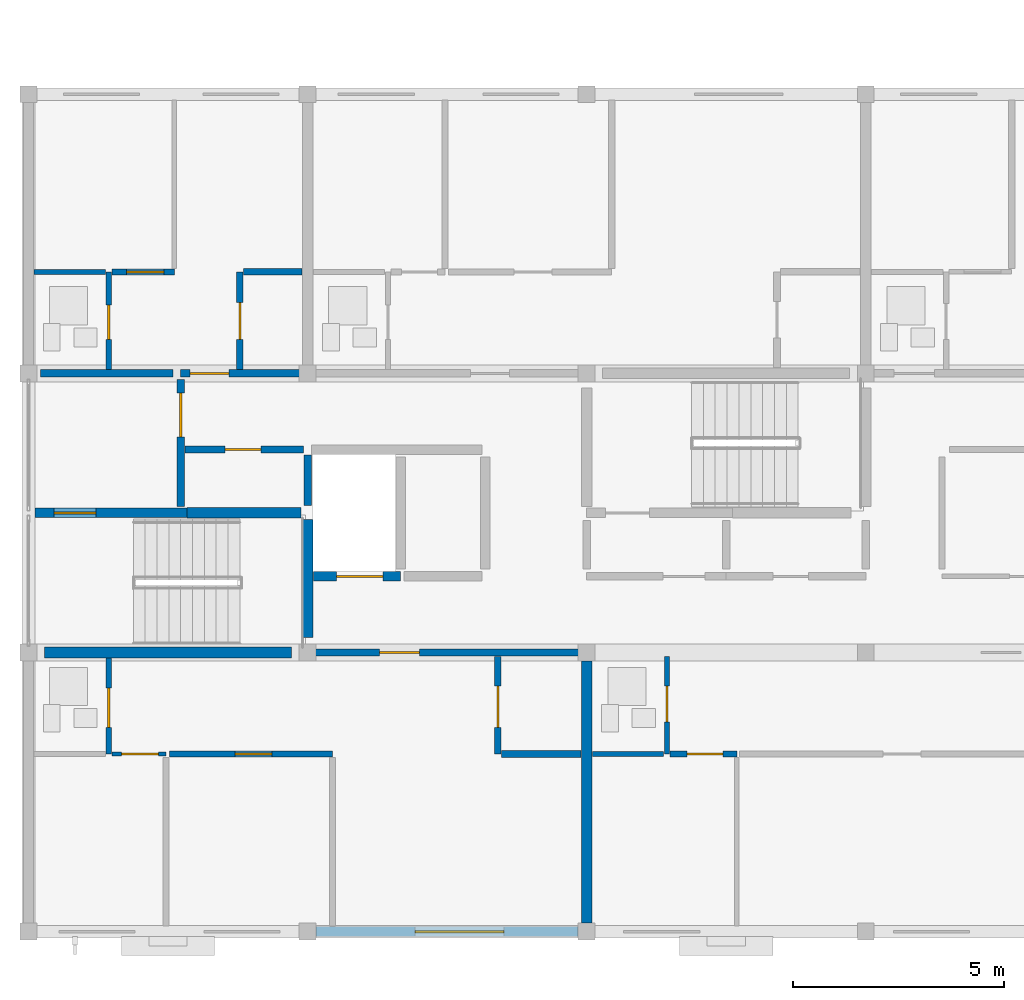
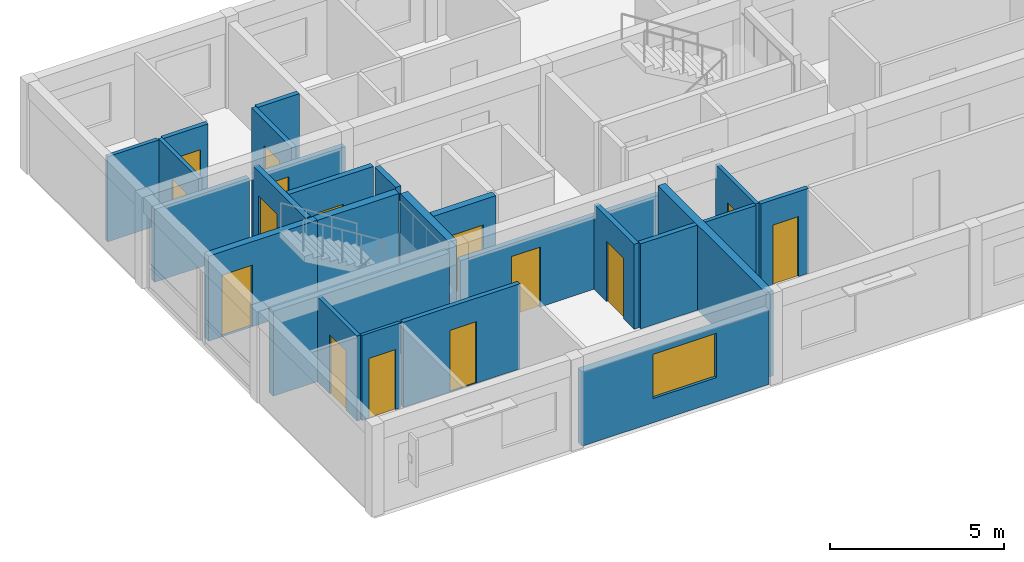
# One storey, part 8 of 15: 26 walls, 15 doors, 1 window, 16 openings.
"""IFC4 building model written with IfcOpenShell, lengths in metres."""

import ifcopenshell
import ifcopenshell.guid

model = None  # the IFC model being written
_history = None  # IfcOwnerHistory: only IFC2X3 demands one
_inside = {}  # id of a spatial element -> (the spatial element, [elements in it])
_under = {}  # id of a project, library or spatial element -> (it, [spatial elements below it])
_declared = {}  # id of a project -> (the project, [libraries it declares])
_typed = {}  # id of a type object -> (the type object, [elements of that type])
_made_of = {}  # id of a material, layer set ... -> (it, [elements and type objects made of it])


def new_model(schema):
    """Start an empty IFC model of exactly this schema.

    Asked for "IFC4X3", IfcOpenShell would pick the latest addendum, in which some entities
    have other attributes; the version numbers below select the first issue.
    IFC2X3 requires an IfcOwnerHistory on every rooted entity: one is made here for all.
    """
    global model, _history
    if schema == "IFC4X3":
        model = ifcopenshell.file(schema_version=(4, 3, 0, 0))
    else:
        model = ifcopenshell.file(schema=schema)
    _inside.clear()
    _under.clear()
    _declared.clear()
    _typed.clear()
    _made_of.clear()
    _history = None
    if model.schema == "IFC2X3":
        org = make("IfcOrganization", Name="unknown")
        user = make(
            "IfcPersonAndOrganization",
            ThePerson=make("IfcPerson", FamilyName="unknown"),
            TheOrganization=org,
        )
        app = make(
            "IfcApplication",
            ApplicationDeveloper=org,
            Version="unknown",
            ApplicationFullName="unknown",
            ApplicationIdentifier="unknown",
        )
        _history = make(
            "IfcOwnerHistory",
            OwningUser=user,
            OwningApplication=app,
            ChangeAction="ADDED",
            CreationDate=0,
        )
    return model


def make(cls, **values):
    """One entity of the class cls with the attributes given. An attribute that is None is left unset."""
    return model.create_entity(
        cls, **{name: value for name, value in values.items() if value is not None}
    )


def rooted(cls, **values):
    """An entity with a GlobalId (a new one), such as an element, a storey or a relation."""
    return make(cls, GlobalId=ifcopenshell.guid.new(), OwnerHistory=_history, **values)


def si_unit(unit_type, name, prefix=None):
    """IfcSIUnit, for example si_unit("LENGTHUNIT", "METRE", prefix="MILLI")."""
    return make("IfcSIUnit", UnitType=unit_type, Prefix=prefix, Name=name)


def assignment(units):
    """IfcUnitAssignment: the units of a project."""
    return None if units is None else make("IfcUnitAssignment", Units=units)


def point(xyz):
    """IfcCartesianPoint."""
    return None if xyz is None else make("IfcCartesianPoint", Coordinates=xyz)


def direction(xyz):
    """IfcDirection."""
    return None if xyz is None else make("IfcDirection", DirectionRatios=xyz)


def frame(location, z_axis=None, x_axis=None):
    """IfcAxis2Placement3D, a coordinate frame: its origin and axes. An axis left out is left unset."""
    return make(
        "IfcAxis2Placement3D",
        Location=point(location),
        Axis=direction(z_axis),
        RefDirection=direction(x_axis),
    )


def frame_2d(location, x_axis=None):
    """IfcAxis2Placement2D, a coordinate frame in the plane: its origin and x axis."""
    return make(
        "IfcAxis2Placement2D", Location=point(location), RefDirection=direction(x_axis)
    )


def origin():
    """The frame at (0, 0, 0) with its axes left unset."""
    return frame((0.0, 0.0, 0.0))


def place(relative_to, where):
    """IfcLocalPlacement: puts the frame where relative to a parent placement (None: the world)."""
    return make(
        "IfcLocalPlacement", PlacementRelTo=relative_to, RelativePlacement=where
    )


def context(
    kind, dimensions, precision=None, world=None, true_north=None, identifier=None
):
    """IfcGeometricRepresentationContext, for example the 3D "Model" context."""
    return make(
        "IfcGeometricRepresentationContext",
        ContextIdentifier=identifier,
        ContextType=kind,
        CoordinateSpaceDimension=dimensions,
        Precision=precision,
        WorldCoordinateSystem=world,
        TrueNorth=true_north,
    )


def subcontext(parent, identifier, kind, view, scale=None):
    """IfcGeometricRepresentationSubContext, for example "Body" below "Model"."""
    return make(
        "IfcGeometricRepresentationSubContext",
        ContextIdentifier=identifier,
        ContextType=kind,
        ParentContext=parent,
        TargetScale=scale,
        TargetView=view,
    )


def project(units=None, contexts=None):
    """IfcProject with its units and contexts."""
    return rooted(
        "IfcProject",
        Name="project",
        RepresentationContexts=contexts,
        UnitsInContext=assignment(units),
    )


def spatial(cls, under=None, at=None, **own):
    """A site, building, storey or space (cls), placed at a placement, below another one or the project."""
    s = rooted(cls, ObjectPlacement=at, **own)
    if under is not None:
        _under.setdefault(under.id(), (under, []))[1].append(s)
    return s


def profile(cls, at=None, kind="AREA", **sizes):
    """A parametric profile (cls). Its sizes go by their IFC names, for example OverallWidth=200.0."""
    return make(cls, ProfileType=kind, Position=at, **sizes)


def rectangle(**sizes):
    """IfcRectangleProfileDef."""
    return profile("IfcRectangleProfileDef", **sizes)


def extrude(swept, where, along, depth):
    """IfcExtrudedAreaSolid: the profile swept, set in the frame where, extruded along a direction by depth."""
    return make(
        "IfcExtrudedAreaSolid",
        SweptArea=swept,
        Position=where,
        ExtrudedDirection=direction(along),
        Depth=depth,
    )


def shape(context_of_items, identifier, shape_type, items):
    """IfcShapeRepresentation: the items that make up one representation, for example the "Body"."""
    return make(
        "IfcShapeRepresentation",
        ContextOfItems=context_of_items,
        RepresentationIdentifier=identifier,
        RepresentationType=shape_type,
        Items=items,
    )


def material(Name=None, Category=None):
    """IfcMaterial."""
    return make("IfcMaterial", Name=Name, Category=Category)


def layer(
    of_material, thickness, ventilated=None, Name=None, Category=None, Priority=None
):
    """IfcMaterialLayer: one layer of a wall or slab, of a material (None: an air gap)."""
    return make(
        "IfcMaterialLayer",
        Material=of_material,
        LayerThickness=thickness,
        IsVentilated=ventilated,
        Name=Name,
        Category=Category,
        Priority=Priority,
    )


def layer_set(layers, Name=None):
    """IfcMaterialLayerSet."""
    return make("IfcMaterialLayerSet", MaterialLayers=layers, LayerSetName=Name)


def made_of(thing, what):
    """Note that an element or type object is made of a material, layer set ...; save() writes the relation."""
    if what is not None:
        _made_of.setdefault(what.id(), (what, []))[1].append(thing)
    return thing


def type_object(cls, material=None, **own):
    """A type object (cls), such as IfcWallType, which elements share."""
    return made_of(rooted(cls, **own), material)


def element(
    cls,
    number,
    at=None,
    inside=None,
    cuts=None,
    type_object=None,
    material=None,
    context=None,
    identifier="Body",
    shape_type=None,
    held_by="IfcProductDefinitionShape",
    body=None,
    shapes=None,
    **own,
):
    """One element of the class cls, such as IfcWall. Its Tag is "e" and its number.

    at: its placement. inside: the storey or other place that contains it. cuts: it is an
    opening in that element (IfcRelVoidsElement). A single representation is given by context,
    identifier, shape_type and body (its items); several are given by shapes. held_by: the class
    of the entity that holds the representations. save() writes the other relations.
    """
    e = rooted(cls, Tag="e%d" % number, ObjectPlacement=at, **own)
    if body is not None:
        shapes = [shape(context, identifier, shape_type, body)]
    if shapes is not None:
        e.Representation = make(held_by, Representations=shapes)
    if inside is not None:
        _inside.setdefault(inside.id(), (inside, []))[1].append(e)
    if cuts is not None:
        rooted(
            "IfcRelVoidsElement", RelatingBuildingElement=cuts, RelatedOpeningElement=e
        )
    if type_object is not None:
        _typed.setdefault(type_object.id(), (type_object, []))[1].append(e)
    return made_of(e, material)


def fill(opening, filler):
    """IfcRelFillsElement: the door or window that sits in an opening."""
    return rooted(
        "IfcRelFillsElement",
        RelatingOpeningElement=opening,
        RelatedBuildingElement=filler,
    )


def aggregate(whole, parts):
    """IfcRelAggregates: a whole, such as a stair, and the parts it consists of."""
    return rooted("IfcRelAggregates", RelatingObject=whole, RelatedObjects=parts)


def save(model, path):
    """Write the relations noted so far, then the file.

    IfcRelAggregates (storeys below a building ...), IfcRelContainedInSpatialStructure (elements
    in a storey), IfcRelDefinesByType, IfcRelAssociatesMaterial and IfcRelDeclares: one each for
    every whole, place, type object, material and project.
    """
    for whole, parts in _under.values():
        aggregate(whole, parts)
    for where, things in _inside.values():
        rooted(
            "IfcRelContainedInSpatialStructure",
            RelatedElements=things,
            RelatingStructure=where,
        )
    for kind, things in _typed.values():
        rooted("IfcRelDefinesByType", RelatedObjects=things, RelatingType=kind)
    for what, things in _made_of.values():
        rooted("IfcRelAssociatesMaterial", RelatedObjects=things, RelatingMaterial=what)
    for by, libraries in _declared.values():
        rooted("IfcRelDeclares", RelatingContext=by, RelatedDefinitions=libraries)
    model.write(path)


model = new_model("IFC4")

# Units and contexts
model_context = context("Model", 3, precision=1e-05, world=origin(), true_north=direction((0.0, 1.0)))
body_context = subcontext(model_context, "Body", "Model", "MODEL_VIEW")
ifc_project = project(units=[si_unit("LENGTHUNIT", "METRE"), si_unit("AREAUNIT", "SQUARE_METRE"), si_unit("VOLUMEUNIT", "CUBIC_METRE"), si_unit("PLANEANGLEUNIT", "RADIAN"), si_unit("MASSUNIT", "GRAM", prefix="KILO")], contexts=[model_context])

# Site, building, storey
site_placement = place(None, origin())
site = spatial("IfcSite", under=ifc_project, at=site_placement, CompositionType="ELEMENT")
building_placement = place(site_placement, origin())
building = spatial("IfcBuilding", under=site, at=building_placement, Name="Kernevlak Ridge Housing Community", CompositionType="ELEMENT")
storey_placement = place(building_placement, frame((0.0, 0.0, 50.0)))
storey = spatial("IfcBuildingStorey", under=building, at=storey_placement, Name="L15", CompositionType="ELEMENT", Elevation=50.0)

# Wall, opening, window
ifc_material_1 = material(Name="Concrete block masonry M10", Category="masonry")
ifc_layer_1 = layer(ifc_material_1, 0.239990234375, Name="Concrete block masonry M10")
ifc_layer_set_1 = layer_set([ifc_layer_1], Name="Concrete block masonry M10")
wall_type_1 = type_object("IfcWallType", Name="EW-06", PredefinedType="STANDARD", material=ifc_layer_set_1)
wall_1_placement = place(storey_placement, frame((22.39990234375, 76.0, 0.0), z_axis=(0.0, 0.0, 1.0), x_axis=(1.0, 0.0, 0.0)))
wall_1 = element("IfcWall", 1, at=wall_1_placement, inside=storey, type_object=wall_type_1, Name="Exterior wall EW-06 L15 238", PredefinedType="STANDARD", context=body_context, shape_type="SweptSolid", body=[
    extrude(rectangle(XDim=6.2001953125, YDim=0.239990234375, at=frame_2d((3.10009765625, 0.0))), origin(), (0.0, 0.0, 1.0), 2.60009765625),
])
opening_1_placement = place(wall_1_placement, frame((2.345947265625, 0.0, 0.85009765625)))
opening_1 = element("IfcOpeningElement", 2, at=opening_1_placement, cuts=wall_1, Name="Opening WT-05", PredefinedType="OPENING", context=body_context, shape_type="SweptSolid", body=[
    extrude(rectangle(XDim=2.10009765625, YDim=1.550048828125, at=frame_2d((1.050048828125, 0.77490234375))), frame((0.0, 0.1298828125, 0.0), z_axis=(0.0, -1.0, 0.0), x_axis=(1.0, 0.0, 0.0)), (0.0, 0.0, 1.0), 0.260009765625),
])
ifc_material_2 = material(Name="Aluminium EN AW-6060 anodised and laminated glass", Category="aluminium")
window_type = type_object("IfcWindowType", Name="WT-05", PartitioningType="SINGLE_PANEL", PredefinedType="WINDOW", material=ifc_material_2)
window_placement = place(opening_1_placement, origin())
window = element("IfcWindow", 3, at=window_placement, inside=storey, type_object=window_type, Name="Window WT-05 L15 189", OverallHeight=1.550048828125, OverallWidth=2.10009765625, PartitioningType="SINGLE_PANEL", PredefinedType="WINDOW", context=body_context, shape_type="SweptSolid", body=[
    extrude(rectangle(XDim=2.10009765625, YDim=1.550048828125, at=frame_2d((1.050048828125, 0.77490234375))), frame((0.0, 0.030029296875, 0.0), z_axis=(0.0, -1.0, 0.0), x_axis=(1.0, 0.0, 0.0)), (0.0, 0.0, 1.0), 0.06005859375),
])
fill(opening_1, window)

# Wall, opening, door
ifc_material_3 = material(Name="Concrete C35/45", Category="concrete")
ifc_layer_2 = layer(ifc_material_3, 0.22509765625, Name="Concrete C35/45")
ifc_layer_set_2 = layer_set([ifc_layer_2], Name="Concrete C35/45")
wall_type_2 = type_object("IfcWallType", Name="PW-01", PredefinedType="STANDARD", material=ifc_layer_set_2)
wall_2_placement = place(storey_placement, frame((15.75, 85.89990234375, 0.0), z_axis=(0.0, 0.0, 1.0), x_axis=(1.0, 0.0, 0.0)))
wall_2 = element("IfcWall", 4, at=wall_2_placement, inside=storey, type_object=wall_type_2, Name="Interior wall PW-01 WAL-INT-L15-0945", PredefinedType="STANDARD", context=body_context, shape_type="SweptSolid", body=[
    extrude(rectangle(XDim=3.60009765625, YDim=0.22509765625, at=frame_2d((1.800048828125, 0.0))), origin(), (0.0, 0.0, 1.0), 2.97998046875),
])
opening_2_placement = place(wall_2_placement, frame((0.449951171875, 0.0, 0.0)))
opening_2 = element("IfcOpeningElement", 5, at=opening_2_placement, cuts=wall_2, Name="Opening D479", PredefinedType="OPENING", context=body_context, shape_type="SweptSolid", body=[
    extrude(rectangle(XDim=1.0, YDim=2.159912109375, at=frame_2d((0.5, 1.080078125))), frame((0.0, 0.12255859375, 0.0), z_axis=(0.0, -1.0, 0.0), x_axis=(1.0, 0.0, 0.0)), (0.0, 0.0, 1.0), 0.2451171875),
])
ifc_material_4 = material(Name="Fire-rated sheet steel leaf", Category="steel")
door_type_1 = type_object("IfcDoorType", Name="DT-15", OperationType="NOTDEFINED", PredefinedType="DOOR", material=ifc_material_4)
door_1_placement = place(opening_2_placement, origin())
door_1 = element("IfcDoor", 6, at=door_1_placement, inside=storey, type_object=door_type_1, Name="Block A Stair 1 fire door D479", OperationType="SINGLE_SWING_LEFT", OverallHeight=2.159912109375, OverallWidth=1.0, PredefinedType="DOOR", context=body_context, shape_type="SweptSolid", body=[
    extrude(rectangle(XDim=1.0, YDim=2.159912109375, at=frame_2d((0.5, 1.080078125))), frame((0.0, 0.02490234375, 0.0), z_axis=(0.0, -1.0, 0.0), x_axis=(1.0, 0.0, 0.0)), (0.0, 0.0, 1.0), 0.050048828125),
])
fill(opening_2, door_1)

wall_3_placement = place(storey_placement, frame((22.3349609375, 84.39990234375, 0.0), z_axis=(0.0, 0.0, 1.0), x_axis=(1.0, 0.0, 0.0)))
wall_3 = element("IfcWall", 7, at=wall_3_placement, inside=storey, type_object=wall_type_2, Name="Interior wall PW-01 WAL-INT-L15-0949", PredefinedType="STANDARD", context=body_context, shape_type="SweptSolid", body=[
    extrude(rectangle(XDim=2.06494140625, YDim=0.22509765625, at=frame_2d((1.032470703125, 0.0))), origin(), (0.0, 0.0, 1.0), 2.97998046875),
])
opening_3_placement = place(wall_3_placement, frame((0.550048828125, 0.0, 0.0)))
opening_3 = element("IfcOpeningElement", 8, at=opening_3_placement, cuts=wall_3, Name="Opening LD26", PredefinedType="OPENING", context=body_context, shape_type="SweptSolid", body=[
    extrude(rectangle(XDim=1.10009765625, YDim=2.10009765625, at=frame_2d((0.550048828125, 1.050048828125))), frame((0.0, 0.12255859375, 0.0), z_axis=(0.0, -1.0, 0.0), x_axis=(1.0, 0.0, 0.0)), (0.0, 0.0, 1.0), 0.2451171875),
])
ifc_material_5 = material(Name="Stainless steel EN 1.4401", Category="steel")
door_type_2 = type_object("IfcDoorType", Name="DT-LD1", OperationType="DOUBLE_DOOR_SLIDING", PredefinedType="DOOR", material=ifc_material_5)
door_2_placement = place(opening_3_placement, origin())
door_2 = element("IfcDoor", 9, at=door_2_placement, inside=storey, type_object=door_type_2, Name="Lift LF-A1 landing door LD26", OperationType="DOUBLE_DOOR_SLIDING", OverallHeight=2.10009765625, OverallWidth=1.10009765625, PredefinedType="DOOR", context=body_context, shape_type="SweptSolid", body=[
    extrude(rectangle(XDim=1.10009765625, YDim=2.10009765625, at=frame_2d((0.550048828125, 1.050048828125))), frame((0.0, 0.02490234375, 0.0), z_axis=(0.0, -1.0, 0.0), x_axis=(1.0, 0.0, 0.0)), (0.0, 0.0, 1.0), 0.050048828125),
])
fill(opening_3, door_2)

ifc_layer_3 = layer(ifc_material_1, 0.175048828125, Name="Concrete block masonry M10")
ifc_layer_set_3 = layer_set([ifc_layer_3], Name="Concrete block masonry M10")
wall_type_3 = type_object("IfcWallType", Name="PW-02", PredefinedType="PARTITIONING", material=ifc_layer_set_3)
wall_4_placement = place(storey_placement, frame((19.199951171875, 86.050048828125, 0.0), z_axis=(0.0, 0.0, 1.0), x_axis=(0.0, 1.0, 0.0)))
wall_4 = element("IfcWall", 10, at=wall_4_placement, inside=storey, type_object=wall_type_3, Name="Interior wall PW-02 WAL-INT-L15-0946", PredefinedType="PARTITIONING", context=body_context, shape_type="SweptSolid", body=[
    extrude(rectangle(XDim=3.0, YDim=0.175048828125, at=frame_2d((1.5, 0.0))), origin(), (0.0, 0.0, 1.0), 2.97998046875),
])
opening_4_placement = place(wall_4_placement, frame((1.64990234375, 0.0, 0.0)))
opening_4 = element("IfcOpeningElement", 11, at=opening_4_placement, cuts=wall_4, Name="Opening D480", PredefinedType="OPENING", context=body_context, shape_type="SweptSolid", body=[
    extrude(rectangle(XDim=1.0400390625, YDim=2.1201171875, at=frame_2d((0.52001953125, 1.06005859375))), frame((0.0, 0.097412109375, 0.0), z_axis=(0.0, -1.0, 0.0), x_axis=(1.0, 0.0, 0.0)), (0.0, 0.0, 1.0), 0.195068359375),
])
door_type_3 = type_object("IfcDoorType", Name="DT-16", OperationType="NOTDEFINED", PredefinedType="DOOR", material=ifc_material_4)
door_3_placement = place(opening_4_placement, origin())
door_3 = element("IfcDoor", 12, at=door_3_placement, inside=storey, type_object=door_type_3, Name="Block A Firefighting lobby 1 door D480", OperationType="SINGLE_SWING_RIGHT", OverallHeight=2.1201171875, OverallWidth=1.0400390625, PredefinedType="DOOR", context=body_context, shape_type="SweptSolid", body=[
    extrude(rectangle(XDim=1.0400390625, YDim=2.1201171875, at=frame_2d((0.52001953125, 1.06005859375))), frame((0.0, 0.02490234375, 0.0), z_axis=(0.0, -1.0, 0.0), x_axis=(1.0, 0.0, 0.0)), (0.0, 0.0, 1.0), 0.050048828125),
])
fill(opening_4, door_3)

wall_5_placement = place(storey_placement, frame((19.300048828125, 87.39990234375, 0.0), z_axis=(0.0, 0.0, 1.0), x_axis=(1.0, 0.0, 0.0)))
wall_5 = element("IfcWall", 13, at=wall_5_placement, inside=storey, type_object=wall_type_3, Name="Interior wall PW-02 WAL-INT-L15-0947", PredefinedType="PARTITIONING", context=body_context, shape_type="SweptSolid", body=[
    extrude(rectangle(XDim=2.800048828125, YDim=0.175048828125, at=frame_2d((1.39990234375, 0.0))), origin(), (0.0, 0.0, 1.0), 2.97998046875),
])
opening_5_placement = place(wall_5_placement, frame((0.949951171875, 0.0, 0.0)))
opening_5 = element("IfcOpeningElement", 14, at=opening_5_placement, cuts=wall_5, Name="Opening D481", PredefinedType="OPENING", context=body_context, shape_type="SweptSolid", body=[
    extrude(rectangle(XDim=0.85009765625, YDim=2.0, at=frame_2d((0.425048828125, 1.0))), frame((0.0, 0.097412109375, 0.0), z_axis=(0.0, -1.0, 0.0), x_axis=(1.0, 0.0, 0.0)), (0.0, 0.0, 1.0), 0.195068359375),
])
door_type_4 = type_object("IfcDoorType", Name="DT-07", OperationType="NOTDEFINED", PredefinedType="DOOR", material=ifc_material_4)
door_4_placement = place(opening_5_placement, origin())
door_4 = element("IfcDoor", 15, at=door_4_placement, inside=storey, type_object=door_type_4, Name="Block A Riser shaft door D481", OperationType="SINGLE_SWING_LEFT", OverallHeight=2.0, OverallWidth=0.85009765625, PredefinedType="DOOR", context=body_context, shape_type="SweptSolid", body=[
    extrude(rectangle(XDim=0.85009765625, YDim=2.0, at=frame_2d((0.425048828125, 1.0))), frame((0.0, 0.02490234375, 0.0), z_axis=(0.0, -1.0, 0.0), x_axis=(1.0, 0.0, 0.0)), (0.0, 0.0, 1.0), 0.050048828125),
])
fill(opening_5, door_4)

# Wall
wall_6_placement = place(storey_placement, frame((22.199951171875, 86.080078125, 0.0), z_axis=(0.0, 0.0, 1.0), x_axis=(0.0, 1.0, 0.0)))
element("IfcWall", 16, at=wall_6_placement, inside=storey, type_object=wall_type_3, Name="Interior wall PW-02 WAL-INT-L15-0948", PredefinedType="PARTITIONING", context=body_context, shape_type="SweptSolid", body=[
    extrude(rectangle(XDim=1.18994140625, YDim=0.175048828125, at=frame_2d((0.594970703125, 0.0))), origin(), (0.0, 0.0, 1.0), 2.97998046875),
])

# Wall, opening, door
wall_7_placement = place(storey_placement, frame((22.199951171875, 82.60009765625, 0.0), z_axis=(0.0, 0.0, 1.0), x_axis=(1.0, 0.0, 0.0)))
wall_7 = element("IfcWall", 17, at=wall_7_placement, inside=storey, type_object=wall_type_3, Name="Interior wall PW-02 WAL-INT-L15-0966", PredefinedType="PARTITIONING", context=body_context, shape_type="SweptSolid", body=[
    extrude(rectangle(XDim=6.60009765625, YDim=0.175048828125, at=frame_2d((3.300048828125, 0.0))), origin(), (0.0, 0.0, 1.0), 2.550048828125),
])
opening_6_placement = place(wall_7_placement, frame((1.699951171875, 0.0, 0.0)))
opening_6 = element("IfcOpeningElement", 18, at=opening_6_placement, cuts=wall_7, Name="Opening D487", PredefinedType="OPENING", context=body_context, shape_type="SweptSolid", body=[
    extrude(rectangle(XDim=0.949951171875, YDim=2.10009765625, at=frame_2d((0.47509765625, 1.050048828125))), frame((0.0, 0.097412109375, 0.0), z_axis=(0.0, -1.0, 0.0), x_axis=(1.0, 0.0, 0.0)), (0.0, 0.0, 1.0), 0.195068359375),
])
ifc_material_6 = material(Name="Hardwood timber solid-core fire leaf", Category="wood")
door_type_5 = type_object("IfcDoorType", Name="DT-01", OperationType="NOTDEFINED", PredefinedType="DOOR", material=ifc_material_6)
door_5_placement = place(opening_6_placement, origin())
door_5 = element("IfcDoor", 19, at=door_5_placement, inside=storey, type_object=door_type_5, Name="Flat A1511 entrance fire door D487", OperationType="SINGLE_SWING_LEFT", OverallHeight=2.10009765625, OverallWidth=0.949951171875, PredefinedType="DOOR", context=body_context, shape_type="SweptSolid", body=[
    extrude(rectangle(XDim=0.949951171875, YDim=2.10009765625, at=frame_2d((0.47509765625, 1.050048828125))), frame((0.0, 0.02490234375, 0.0), z_axis=(0.0, -1.0, 0.0), x_axis=(1.0, 0.0, 0.0)), (0.0, 0.0, 1.0), 0.050048828125),
])
fill(opening_6, door_5)

# Wall
wall_8_placement = place(storey_placement, frame((15.8798828125, 89.199951171875, 0.0), z_axis=(0.0, 0.0, 1.0), x_axis=(1.0, 0.0, 0.0)))
element("IfcWall", 20, at=wall_8_placement, inside=storey, type_object=wall_type_3, Name="Interior wall PW-02 WAL-INT-L15-0984", PredefinedType="PARTITIONING", context=body_context, shape_type="SweptSolid", body=[
    extrude(rectangle(XDim=3.14013671875, YDim=0.175048828125, at=frame_2d((1.570068359375, 0.0))), origin(), (0.0, 0.0, 1.0), 2.550048828125),
])

# Wall, opening, door
wall_9_placement = place(storey_placement, frame((19.199951171875, 89.199951171875, 0.0), z_axis=(0.0, 0.0, 1.0), x_axis=(1.0, 0.0, 0.0)))
wall_9 = element("IfcWall", 21, at=wall_9_placement, inside=storey, type_object=wall_type_3, Name="Interior wall PW-02 WAL-INT-L15-0985", PredefinedType="PARTITIONING", context=body_context, shape_type="SweptSolid", body=[
    extrude(rectangle(XDim=3.0, YDim=0.175048828125, at=frame_2d((1.5, 0.0))), origin(), (0.0, 0.0, 1.0), 2.550048828125),
])
opening_7_placement = place(wall_9_placement, frame((0.219970703125, 0.0, 0.0)))
opening_7 = element("IfcOpeningElement", 22, at=opening_7_placement, cuts=wall_9, Name="Opening D497", PredefinedType="OPENING", context=body_context, shape_type="SweptSolid", body=[
    extrude(rectangle(XDim=0.919921875, YDim=2.139892578125, at=frame_2d((0.4599609375, 1.06982421875))), frame((0.0, 0.097412109375, 0.0), z_axis=(0.0, -1.0, 0.0), x_axis=(1.0, 0.0, 0.0)), (0.0, 0.0, 1.0), 0.195068359375),
])
door_type_6 = type_object("IfcDoorType", Name="DT-20", OperationType="NOTDEFINED", PredefinedType="DOOR", material=ifc_material_6)
door_6_placement = place(opening_7_placement, origin())
door_6 = element("IfcDoor", 23, at=door_6_placement, inside=storey, type_object=door_type_6, Name="Flat A1521 entrance fire door D497", OperationType="SINGLE_SWING_LEFT", OverallHeight=2.139892578125, OverallWidth=0.919921875, PredefinedType="DOOR", context=body_context, shape_type="SweptSolid", body=[
    extrude(rectangle(XDim=0.919921875, YDim=2.139892578125, at=frame_2d((0.4599609375, 1.06982421875))), frame((0.0, 0.02490234375, 0.0), z_axis=(0.0, -1.0, 0.0), x_axis=(1.0, 0.0, 0.0)), (0.0, 0.0, 1.0), 0.050048828125),
])
fill(opening_7, door_6)

ifc_layer_4 = layer(ifc_material_1, 0.14501953125, Name="Concrete block masonry M10")
ifc_layer_set_4 = layer_set([ifc_layer_4], Name="Concrete block masonry M10")
wall_type_4 = type_object("IfcWallType", Name="PW-03", PredefinedType="PARTITIONING", material=ifc_layer_set_4)
wall_10_placement = place(storey_placement, frame((18.9326171875, 80.199951171875, 0.0), z_axis=(0.0, 0.0, 1.0), x_axis=(1.0, 0.0, 0.0)))
wall_10 = element("IfcWall", 24, at=wall_10_placement, inside=storey, type_object=wall_type_4, Name="Interior wall PW-03 WAL-INT-L15-0973", PredefinedType="PARTITIONING", context=body_context, shape_type="SweptSolid", body=[
    extrude(rectangle(XDim=3.859375, YDim=0.14501953125, at=frame_2d((1.9296875, 0.0))), origin(), (0.0, 0.0, 1.0), 2.97998046875),
])
opening_8_placement = place(wall_10_placement, frame((1.5458984375, 0.0, 0.0)))
opening_8 = element("IfcOpeningElement", 25, at=opening_8_placement, cuts=wall_10, Name="Opening D491", PredefinedType="OPENING", context=body_context, shape_type="SweptSolid", body=[
    extrude(rectangle(XDim=0.8798828125, YDim=2.159912109375, at=frame_2d((0.43994140625, 1.080078125))), frame((0.0, 0.08251953125, 0.0), z_axis=(0.0, -1.0, 0.0), x_axis=(1.0, 0.0, 0.0)), (0.0, 0.0, 1.0), 0.1650390625),
])
ifc_material_7 = material(Name="Hardwood timber leaf", Category="wood")
door_type_7 = type_object("IfcDoorType", Name="DT-26", OperationType="NOTDEFINED", PredefinedType="DOOR", material=ifc_material_7)
door_7_placement = place(opening_8_placement, origin())
door_7 = element("IfcDoor", 26, at=door_7_placement, inside=storey, type_object=door_type_7, Name="Flat A1511 bedroom door D491", OperationType="SINGLE_SWING_LEFT", OverallHeight=2.159912109375, OverallWidth=0.8798828125, PredefinedType="DOOR", context=body_context, shape_type="SweptSolid", body=[
    extrude(rectangle(XDim=0.8798828125, YDim=2.159912109375, at=frame_2d((0.43994140625, 1.080078125))), frame((0.0, 0.02490234375, 0.0), z_axis=(0.0, -1.0, 0.0), x_axis=(1.0, 0.0, 0.0)), (0.0, 0.0, 1.0), 0.050048828125),
])
fill(opening_8, door_7)

wall_11_placement = place(storey_placement, frame((30.7724609375, 80.199951171875, 0.0), z_axis=(0.0, 0.0, 1.0), x_axis=(1.0, 0.0, 0.0)))
wall_11 = element("IfcWall", 27, at=wall_11_placement, inside=storey, type_object=wall_type_4, Name="Interior wall PW-03 WAL-INT-L15-0980", PredefinedType="PARTITIONING", context=body_context, shape_type="SweptSolid", body=[
    extrude(rectangle(XDim=1.57763671875, YDim=0.14501953125, at=frame_2d((0.788818359375, 0.0))), origin(), (0.0, 0.0, 1.0), 2.97998046875),
])
opening_9_placement = place(wall_11_placement, frame((0.39990234375, 0.0, 0.0)))
opening_9 = element("IfcOpeningElement", 28, at=opening_9_placement, cuts=wall_11, Name="Opening D495", PredefinedType="OPENING", context=body_context, shape_type="SweptSolid", body=[
    extrude(rectangle(XDim=0.85009765625, YDim=2.10009765625, at=frame_2d((0.425048828125, 1.050048828125))), frame((0.0, 0.08251953125, 0.0), z_axis=(0.0, -1.0, 0.0), x_axis=(1.0, 0.0, 0.0)), (0.0, 0.0, 1.0), 0.1650390625),
])
door_type_8 = type_object("IfcDoorType", Name="DT-03", OperationType="NOTDEFINED", PredefinedType="DOOR", material=ifc_material_7)
door_8_placement = place(opening_9_placement, origin())
door_8 = element("IfcDoor", 29, at=door_8_placement, inside=storey, type_object=door_type_8, Name="Flat A1512 bedroom door D495", OperationType="SINGLE_SWING_LEFT", OverallHeight=2.10009765625, OverallWidth=0.85009765625, PredefinedType="DOOR", context=body_context, shape_type="SweptSolid", body=[
    extrude(rectangle(XDim=0.85009765625, YDim=2.10009765625, at=frame_2d((0.425048828125, 1.050048828125))), frame((0.0, 0.02490234375, 0.0), z_axis=(0.0, -1.0, 0.0), x_axis=(1.0, 0.0, 0.0)), (0.0, 0.0, 1.0), 0.050048828125),
])
fill(opening_9, door_8)

wall_12_placement = place(storey_placement, frame((17.572509765625, 91.60009765625, 0.0), z_axis=(0.0, 0.0, 1.0), x_axis=(1.0, 0.0, 0.0)))
wall_12 = element("IfcWall", 30, at=wall_12_placement, inside=storey, type_object=wall_type_4, Name="Interior wall PW-03 WAL-INT-L15-0990", PredefinedType="PARTITIONING", context=body_context, shape_type="SweptSolid", body=[
    extrude(rectangle(XDim=1.4775390625, YDim=0.14501953125, at=frame_2d((0.73876953125, 0.0))), origin(), (0.0, 0.0, 1.0), 2.97998046875),
])
opening_10_placement = place(wall_12_placement, frame((0.35009765625, 0.0, 0.0)))
opening_10 = element("IfcOpeningElement", 31, at=opening_10_placement, cuts=wall_12, Name="Opening D500", PredefinedType="OPENING", context=body_context, shape_type="SweptSolid", body=[
    extrude(rectangle(XDim=0.8798828125, YDim=2.159912109375, at=frame_2d((0.43994140625, 1.080078125))), frame((0.0, 0.08251953125, 0.0), z_axis=(0.0, -1.0, 0.0), x_axis=(1.0, 0.0, 0.0)), (0.0, 0.0, 1.0), 0.1650390625),
])
door_9_placement = place(opening_10_placement, origin())
door_9 = element("IfcDoor", 32, at=door_9_placement, inside=storey, type_object=door_type_7, Name="Flat A1521 bedroom door D500", OperationType="SINGLE_SWING_RIGHT", OverallHeight=2.159912109375, OverallWidth=0.8798828125, PredefinedType="DOOR", context=body_context, shape_type="SweptSolid", body=[
    extrude(rectangle(XDim=0.8798828125, YDim=2.159912109375, at=frame_2d((0.43994140625, 1.080078125))), frame((0.0, 0.02490234375, 0.0), z_axis=(0.0, -1.0, 0.0), x_axis=(1.0, 0.0, 0.0)), (0.0, 0.0, 1.0), 0.050048828125),
])
fill(opening_10, door_9)

ifc_material_8 = material(Name="Gypsum plasterboard EN 520", Category="gypsum")
ifc_layer_5 = layer(ifc_material_8, 0.125, Name="Gypsum plasterboard EN 520")
ifc_layer_set_5 = layer_set([ifc_layer_5], Name="Gypsum plasterboard EN 520")
wall_type_5 = type_object("IfcWallType", Name="PW-04", PredefinedType="PARTITIONING", material=ifc_layer_set_5)
wall_13_placement = place(storey_placement, frame((17.5, 82.465087890625, 0.0), z_axis=(0.0, 0.0, 1.0), x_axis=(0.0, -1.0, 0.0)))
wall_13 = element("IfcWall", 33, at=wall_13_placement, inside=storey, type_object=wall_type_5, Name="Interior wall PW-04 WAL-INT-L15-0967", PredefinedType="PARTITIONING", context=body_context, shape_type="SweptSolid", body=[
    extrude(rectangle(XDim=2.26513671875, YDim=0.125, at=frame_2d((1.132568359375, 0.0))), origin(), (0.0, 0.0, 1.0), 2.97998046875),
])
opening_11_placement = place(wall_13_placement, frame((0.699951171875, 0.0, 0.0)))
opening_11 = element("IfcOpeningElement", 34, at=opening_11_placement, cuts=wall_13, Name="Opening D488", PredefinedType="OPENING", context=body_context, shape_type="SweptSolid", body=[
    extrude(rectangle(XDim=0.93994140625, YDim=2.080078125, at=frame_2d((0.469970703125, 1.0400390625))), frame((0.0, 0.072509765625, 0.0), z_axis=(0.0, -1.0, 0.0), x_axis=(1.0, 0.0, 0.0)), (0.0, 0.0, 1.0), 0.14501953125),
])
ifc_material_9 = material(Name="Hardwood timber moisture-resistant leaf", Category="wood")
door_type_9 = type_object("IfcDoorType", Name="DT-23", OperationType="NOTDEFINED", PredefinedType="DOOR", material=ifc_material_9)
door_10_placement = place(opening_11_placement, origin())
door_10 = element("IfcDoor", 35, at=door_10_placement, inside=storey, type_object=door_type_9, Name="Flat A1511 bathroom door D488", OperationType="SINGLE_SWING_RIGHT", OverallHeight=2.080078125, OverallWidth=0.93994140625, PredefinedType="DOOR", context=body_context, shape_type="SweptSolid", body=[
    extrude(rectangle(XDim=0.93994140625, YDim=2.080078125, at=frame_2d((0.469970703125, 1.0400390625))), frame((0.0, 0.02490234375, 0.0), z_axis=(0.0, -1.0, 0.0), x_axis=(1.0, 0.0, 0.0)), (0.0, 0.0, 1.0), 0.050048828125),
])
fill(opening_11, door_10)

wall_14_placement = place(storey_placement, frame((30.699951171875, 82.50244140625, 0.0), z_axis=(0.0, 0.0, 1.0), x_axis=(0.0, -1.0, 0.0)))
wall_14 = element("IfcWall", 36, at=wall_14_placement, inside=storey, type_object=wall_type_5, Name="Interior wall PW-04 WAL-INT-L15-0976", PredefinedType="PARTITIONING", context=body_context, shape_type="SweptSolid", body=[
    extrude(rectangle(XDim=2.302490234375, YDim=0.125, at=frame_2d((1.1513671875, 0.0))), origin(), (0.0, 0.0, 1.0), 2.97998046875),
])
opening_12_placement = place(wall_14_placement, frame((0.699951171875, 0.0, 0.0)))
opening_12 = element("IfcOpeningElement", 37, at=opening_12_placement, cuts=wall_14, Name="Opening D493", PredefinedType="OPENING", context=body_context, shape_type="SweptSolid", body=[
    extrude(rectangle(XDim=0.840087890625, YDim=2.06005859375, at=frame_2d((0.419921875, 1.030029296875))), frame((0.0, 0.072509765625, 0.0), z_axis=(0.0, -1.0, 0.0), x_axis=(1.0, 0.0, 0.0)), (0.0, 0.0, 1.0), 0.14501953125),
])
door_type_10 = type_object("IfcDoorType", Name="DT-27", OperationType="NOTDEFINED", PredefinedType="DOOR", material=ifc_material_9)
door_11_placement = place(opening_12_placement, origin())
door_11 = element("IfcDoor", 38, at=door_11_placement, inside=storey, type_object=door_type_10, Name="Flat A1512 bathroom door D493", OperationType="SINGLE_SWING_LEFT", OverallHeight=2.06005859375, OverallWidth=0.840087890625, PredefinedType="DOOR", context=body_context, shape_type="SweptSolid", body=[
    extrude(rectangle(XDim=0.840087890625, YDim=2.06005859375, at=frame_2d((0.419921875, 1.030029296875))), frame((0.0, 0.02490234375, 0.0), z_axis=(0.0, -1.0, 0.0), x_axis=(1.0, 0.0, 0.0)), (0.0, 0.0, 1.0), 0.050048828125),
])
fill(opening_12, door_11)

# Wall
wall_15_placement = place(storey_placement, frame((28.93505859375, 80.199951171875, 0.0), z_axis=(0.0, 0.0, 1.0), x_axis=(1.0, 0.0, 0.0)))
element("IfcWall", 39, at=wall_15_placement, inside=storey, type_object=wall_type_5, Name="Interior wall PW-04 WAL-INT-L15-0977", PredefinedType="PARTITIONING", context=body_context, shape_type="SweptSolid", body=[
    extrude(rectangle(XDim=1.68505859375, YDim=0.125, at=frame_2d((0.842529296875, 0.0))), origin(), (0.0, 0.0, 1.0), 2.97998046875),
])

# Wall, opening, door
wall_16_placement = place(storey_placement, frame((17.5, 89.297607421875, 0.0), z_axis=(0.0, 0.0, 1.0), x_axis=(0.0, 1.0, 0.0)))
wall_16 = element("IfcWall", 40, at=wall_16_placement, inside=storey, type_object=wall_type_5, Name="Interior wall PW-04 WAL-INT-L15-0986", PredefinedType="PARTITIONING", context=body_context, shape_type="SweptSolid", body=[
    extrude(rectangle(XDim=2.302490234375, YDim=0.125, at=frame_2d((1.1513671875, 0.0))), origin(), (0.0, 0.0, 1.0), 2.97998046875),
])
opening_13_placement = place(wall_16_placement, frame((0.699951171875, 0.0, 0.0)))
opening_13 = element("IfcOpeningElement", 41, at=opening_13_placement, cuts=wall_16, Name="Opening D498", PredefinedType="OPENING", context=body_context, shape_type="SweptSolid", body=[
    extrude(rectangle(XDim=0.820068359375, YDim=2.050048828125, at=frame_2d((0.41015625, 1.02490234375))), frame((0.0, 0.072509765625, 0.0), z_axis=(0.0, -1.0, 0.0), x_axis=(1.0, 0.0, 0.0)), (0.0, 0.0, 1.0), 0.14501953125),
])
door_type_11 = type_object("IfcDoorType", Name="DT-30", OperationType="NOTDEFINED", PredefinedType="DOOR", material=ifc_material_9)
door_12_placement = place(opening_13_placement, origin())
door_12 = element("IfcDoor", 42, at=door_12_placement, inside=storey, type_object=door_type_11, Name="Flat A1521 bathroom door D498", OperationType="SINGLE_SWING_RIGHT", OverallHeight=2.050048828125, OverallWidth=0.820068359375, PredefinedType="DOOR", context=body_context, shape_type="SweptSolid", body=[
    extrude(rectangle(XDim=0.820068359375, YDim=2.050048828125, at=frame_2d((0.41015625, 1.02490234375))), frame((0.0, 0.02490234375, 0.0), z_axis=(0.0, -1.0, 0.0), x_axis=(1.0, 0.0, 0.0)), (0.0, 0.0, 1.0), 0.050048828125),
])
fill(opening_13, door_12)

# Wall
wall_17_placement = place(storey_placement, frame((15.72998046875, 91.60009765625, 0.0), z_axis=(0.0, 0.0, 1.0), x_axis=(1.0, 0.0, 0.0)))
element("IfcWall", 43, at=wall_17_placement, inside=storey, type_object=wall_type_5, Name="Interior wall PW-04 WAL-INT-L15-0987", PredefinedType="PARTITIONING", context=body_context, shape_type="SweptSolid", body=[
    extrude(rectangle(XDim=1.68994140625, YDim=0.125, at=frame_2d((0.844970703125, 0.0))), origin(), (0.0, 0.0, 1.0), 2.97998046875),
])

# Wall, opening, door
ifc_layer_6 = layer(ifc_material_8, 0.155029296875, Name="Gypsum plasterboard EN 520")
ifc_layer_set_6 = layer_set([ifc_layer_6], Name="Gypsum plasterboard EN 520")
wall_type_6 = type_object("IfcWallType", Name="PW-05", PredefinedType="PARTITIONING", material=ifc_layer_set_6)
wall_18_placement = place(storey_placement, frame((26.699951171875, 82.50244140625, 0.0), z_axis=(0.0, 0.0, 1.0), x_axis=(0.0, -1.0, 0.0)))
wall_18 = element("IfcWall", 44, at=wall_18_placement, inside=storey, type_object=wall_type_6, Name="Interior wall PW-05 WAL-INT-L15-0969", PredefinedType="PARTITIONING", context=body_context, shape_type="SweptSolid", body=[
    extrude(rectangle(XDim=2.302490234375, YDim=0.155029296875, at=frame_2d((1.1513671875, 0.0))), origin(), (0.0, 0.0, 1.0), 2.97998046875),
])
opening_14_placement = place(wall_18_placement, frame((0.699951171875, 0.0, 0.0)))
opening_14 = element("IfcOpeningElement", 45, at=opening_14_placement, cuts=wall_18, Name="Opening D489", PredefinedType="OPENING", context=body_context, shape_type="SweptSolid", body=[
    extrude(rectangle(XDim=0.97998046875, YDim=2.1201171875, at=frame_2d((0.489990234375, 1.06005859375))), frame((0.0, 0.08740234375, 0.0), z_axis=(0.0, -1.0, 0.0), x_axis=(1.0, 0.0, 0.0)), (0.0, 0.0, 1.0), 0.175048828125),
])
door_type_12 = type_object("IfcDoorType", Name="DT-24", OperationType="NOTDEFINED", PredefinedType="DOOR", material=ifc_material_7)
door_13_placement = place(opening_14_placement, origin())
door_13 = element("IfcDoor", 46, at=door_13_placement, inside=storey, type_object=door_type_12, Name="Flat A1511 kitchen door D489", OperationType="SINGLE_SWING_LEFT", OverallHeight=2.1201171875, OverallWidth=0.97998046875, PredefinedType="DOOR", context=body_context, shape_type="SweptSolid", body=[
    extrude(rectangle(XDim=0.97998046875, YDim=2.1201171875, at=frame_2d((0.489990234375, 1.06005859375))), frame((0.0, 0.02490234375, 0.0), z_axis=(0.0, -1.0, 0.0), x_axis=(1.0, 0.0, 0.0)), (0.0, 0.0, 1.0), 0.050048828125),
])
fill(opening_14, door_13)

# Wall
wall_19_placement = place(storey_placement, frame((26.78759765625, 80.199951171875, 0.0), z_axis=(0.0, 0.0, 1.0), x_axis=(1.0, 0.0, 0.0)))
element("IfcWall", 47, at=wall_19_placement, inside=storey, type_object=wall_type_6, Name="Interior wall PW-05 WAL-INT-L15-0970", PredefinedType="PARTITIONING", context=body_context, shape_type="SweptSolid", body=[
    extrude(rectangle(XDim=1.87744140625, YDim=0.155029296875, at=frame_2d((0.938720703125, 0.0))), origin(), (0.0, 0.0, 1.0), 2.97998046875),
])

# Wall, opening, door
wall_20_placement = place(storey_placement, frame((20.60009765625, 89.297607421875, 0.0), z_axis=(0.0, 0.0, 1.0), x_axis=(0.0, 1.0, 0.0)))
wall_20 = element("IfcWall", 48, at=wall_20_placement, inside=storey, type_object=wall_type_6, Name="Interior wall PW-05 WAL-INT-L15-0988", PredefinedType="PARTITIONING", context=body_context, shape_type="SweptSolid", body=[
    extrude(rectangle(XDim=2.302490234375, YDim=0.155029296875, at=frame_2d((1.1513671875, 0.0))), origin(), (0.0, 0.0, 1.0), 2.97998046875),
])
opening_15_placement = place(wall_20_placement, frame((0.699951171875, 0.0, 0.0)))
opening_15 = element("IfcOpeningElement", 49, at=opening_15_placement, cuts=wall_20, Name="Opening D499", PredefinedType="OPENING", context=body_context, shape_type="SweptSolid", body=[
    extrude(rectangle(XDim=0.8798828125, YDim=2.10009765625, at=frame_2d((0.43994140625, 1.050048828125))), frame((0.0, 0.08740234375, 0.0), z_axis=(0.0, -1.0, 0.0), x_axis=(1.0, 0.0, 0.0)), (0.0, 0.0, 1.0), 0.175048828125),
])
door_type_13 = type_object("IfcDoorType", Name="DT-25", OperationType="NOTDEFINED", PredefinedType="DOOR", material=ifc_material_7)
door_14_placement = place(opening_15_placement, origin())
door_14 = element("IfcDoor", 50, at=door_14_placement, inside=storey, type_object=door_type_13, Name="Flat A1521 kitchen door D499", OperationType="SINGLE_SWING_LEFT", OverallHeight=2.10009765625, OverallWidth=0.8798828125, PredefinedType="DOOR", context=body_context, shape_type="SweptSolid", body=[
    extrude(rectangle(XDim=0.8798828125, YDim=2.10009765625, at=frame_2d((0.43994140625, 1.050048828125))), frame((0.0, 0.02490234375, 0.0), z_axis=(0.0, -1.0, 0.0), x_axis=(1.0, 0.0, 0.0)), (0.0, 0.0, 1.0), 0.050048828125),
])
fill(opening_15, door_14)

# Wall
wall_21_placement = place(storey_placement, frame((20.6875, 91.60009765625, 0.0), z_axis=(0.0, 0.0, 1.0), x_axis=(1.0, 0.0, 0.0)))
element("IfcWall", 51, at=wall_21_placement, inside=storey, type_object=wall_type_6, Name="Interior wall PW-05 WAL-INT-L15-0989", PredefinedType="PARTITIONING", context=body_context, shape_type="SweptSolid", body=[
    extrude(rectangle(XDim=1.37744140625, YDim=0.155029296875, at=frame_2d((0.688720703125, 0.0))), origin(), (0.0, 0.0, 1.0), 2.97998046875),
])

# Wall, opening, door
ifc_layer_7 = layer(ifc_material_8, 0.10498046875, Name="Gypsum plasterboard EN 520")
ifc_layer_set_7 = layer_set([ifc_layer_7], Name="Gypsum plasterboard EN 520")
wall_type_7 = type_object("IfcWallType", Name="PW-06", PredefinedType="PARTITIONING", material=ifc_layer_set_7)
wall_22_placement = place(storey_placement, frame((17.572509765625, 80.199951171875, 0.0), z_axis=(0.0, 0.0, 1.0), x_axis=(1.0, 0.0, 0.0)))
wall_22 = element("IfcWall", 52, at=wall_22_placement, inside=storey, type_object=wall_type_7, Name="Interior wall PW-06 WAL-INT-L15-0971", PredefinedType="PARTITIONING", context=body_context, shape_type="SweptSolid", body=[
    extrude(rectangle(XDim=1.277587890625, YDim=0.10498046875, at=frame_2d((0.638671875, 0.0))), origin(), (0.0, 0.0, 1.0), 2.97998046875),
])
opening_16_placement = place(wall_22_placement, frame((0.2275390625, 0.0, 0.0)))
opening_16 = element("IfcOpeningElement", 53, at=opening_16_placement, cuts=wall_22, Name="Opening D490", PredefinedType="OPENING", context=body_context, shape_type="SweptSolid", body=[
    extrude(rectangle(XDim=0.8798828125, YDim=2.10009765625, at=frame_2d((0.43994140625, 1.050048828125))), frame((0.0, 0.0625, 0.0), z_axis=(0.0, -1.0, 0.0), x_axis=(1.0, 0.0, 0.0)), (0.0, 0.0, 1.0), 0.125),
])
door_15_placement = place(opening_16_placement, origin())
door_15 = element("IfcDoor", 54, at=door_15_placement, inside=storey, type_object=door_type_13, Name="Flat A1511 bedroom door D490", OperationType="SINGLE_SWING_RIGHT", OverallHeight=2.10009765625, OverallWidth=0.8798828125, PredefinedType="DOOR", context=body_context, shape_type="SweptSolid", body=[
    extrude(rectangle(XDim=0.8798828125, YDim=2.10009765625, at=frame_2d((0.43994140625, 1.050048828125))), frame((0.0, 0.02490234375, 0.0), z_axis=(0.0, -1.0, 0.0), x_axis=(1.0, 0.0, 0.0)), (0.0, 0.0, 1.0), 0.050048828125),
])
fill(opening_16, door_15)

# Walls
ifc_material_10 = material(Name="Concrete C40/50", Category="concrete")
ifc_layer_8 = layer(ifc_material_10, 0.25, Name="Concrete C40/50")
ifc_layer_set_8 = layer_set([ifc_layer_8], Name="Concrete C40/50")
wall_type_8 = type_object("IfcWallType", Name="SW-03", PredefinedType="SHEAR", material=ifc_layer_set_8)
wall_23_placement = place(storey_placement, frame((15.97998046875, 82.60009765625, 0.0), z_axis=(0.0, 0.0, 1.0), x_axis=(1.0, 0.0, 0.0)))
element("IfcWall", 55, at=wall_23_placement, inside=storey, type_object=wall_type_8, Name="Shear wall SW-03 Block A L15 161", PredefinedType="SHEAR", context=body_context, shape_type="SweptSolid", body=[
    extrude(rectangle(XDim=5.840087890625, YDim=0.25, at=frame_2d((2.919921875, 0.0))), origin(), (0.0, 0.0, 1.0), 2.97998046875),
])
wall_24_placement = place(storey_placement, frame((19.35009765625, 85.89990234375, 0.0), z_axis=(0.0, 0.0, 1.0), x_axis=(1.0, 0.0, 0.0)))
element("IfcWall", 56, at=wall_24_placement, inside=storey, type_object=wall_type_8, Name="Shear wall SW-03 Block A L15 162", PredefinedType="SHEAR", context=body_context, shape_type="SweptSolid", body=[
    extrude(rectangle(XDim=2.699951171875, YDim=0.25, at=frame_2d((1.35009765625, 0.0))), origin(), (0.0, 0.0, 1.0), 2.97998046875),
])
wall_25_placement = place(storey_placement, frame((22.199951171875, 82.949951171875, 0.0), z_axis=(0.0, 0.0, 1.0), x_axis=(0.0, 1.0, 0.0)))
element("IfcWall", 57, at=wall_25_placement, inside=storey, type_object=wall_type_8, Name="Shear wall SW-03 Block A L15 163", PredefinedType="SHEAR", context=body_context, shape_type="SweptSolid", body=[
    extrude(rectangle(XDim=2.800048828125, YDim=0.25, at=frame_2d((1.39990234375, 0.0))), origin(), (0.0, 0.0, 1.0), 2.97998046875),
])
wall_26_placement = place(storey_placement, frame((28.800048828125, 76.199951171875, 0.0), z_axis=(0.0, 0.0, 1.0), x_axis=(0.0, 1.0, 0.0)))
element("IfcWall", 58, at=wall_26_placement, inside=storey, type_object=wall_type_8, Name="Shear wall SW-03 Block A L15 168", PredefinedType="SHEAR", context=body_context, shape_type="SweptSolid", body=[
    extrude(rectangle(XDim=6.199951171875, YDim=0.25, at=frame_2d((3.10009765625, 0.0))), origin(), (0.0, 0.0, 1.0), 2.97998046875),
])

save(model, "model.ifc")
